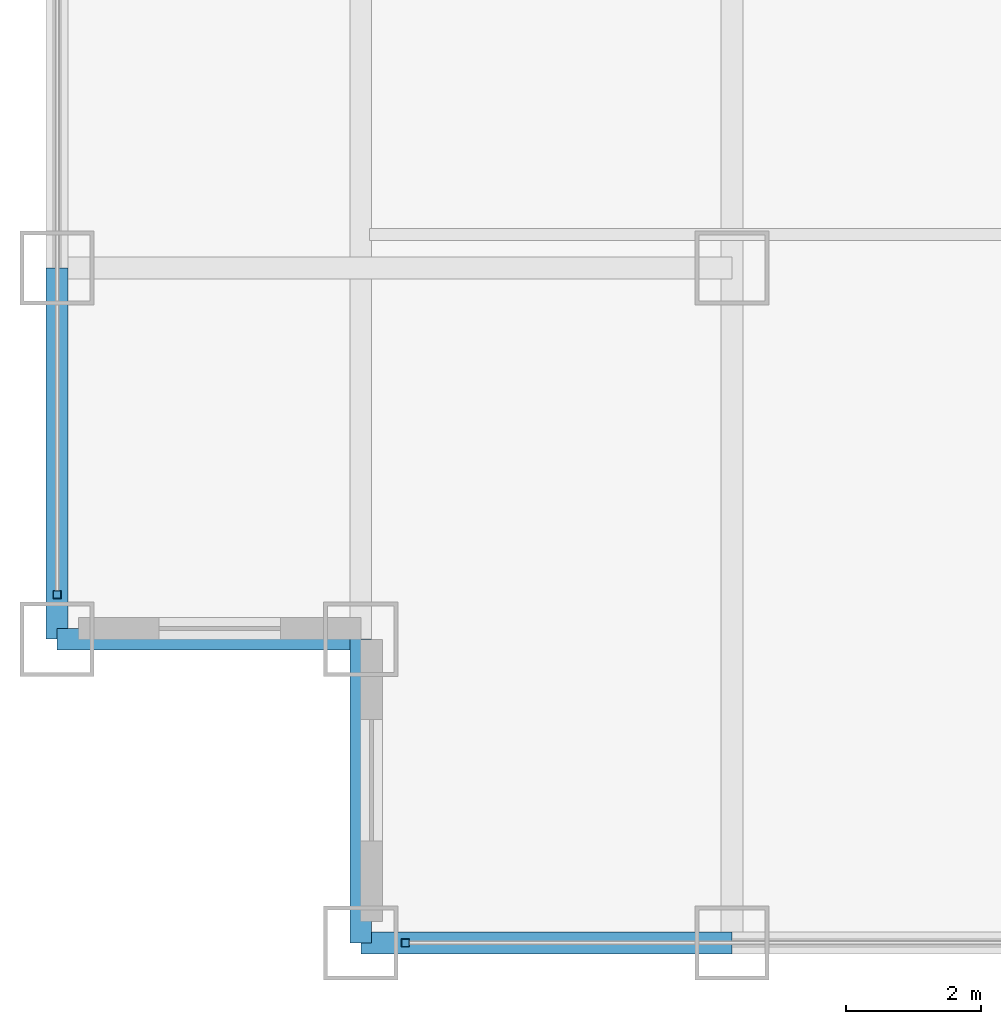
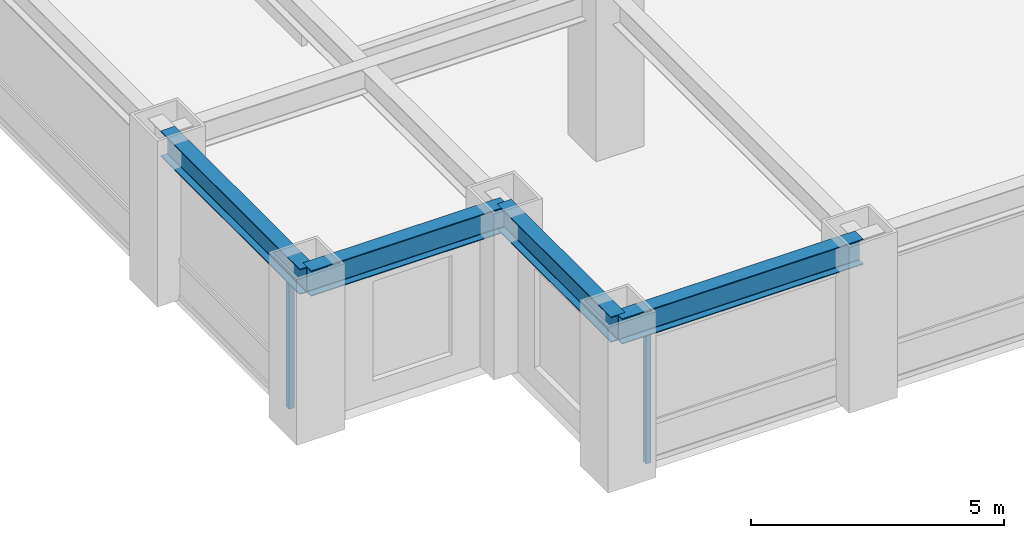
# One storey, part 2 of 25: 4 beams, 2 members, 2 elements without a shape of their own.
"""IFC4 building model written with IfcOpenShell, lengths in metres."""

import ifcopenshell
import ifcopenshell.guid

model = None  # the IFC model being written
_history = None  # IfcOwnerHistory: only IFC2X3 demands one
_inside = {}  # id of a spatial element -> (the spatial element, [elements in it])
_under = {}  # id of a project, library or spatial element -> (it, [spatial elements below it])
_declared = {}  # id of a project -> (the project, [libraries it declares])
_typed = {}  # id of a type object -> (the type object, [elements of that type])
_made_of = {}  # id of a material, layer set ... -> (it, [elements and type objects made of it])


def new_model(schema):
    """Start an empty IFC model of exactly this schema.

    Asked for "IFC4X3", IfcOpenShell would pick the latest addendum, in which some entities
    have other attributes; the version numbers below select the first issue.
    IFC2X3 requires an IfcOwnerHistory on every rooted entity: one is made here for all.
    """
    global model, _history
    if schema == "IFC4X3":
        model = ifcopenshell.file(schema_version=(4, 3, 0, 0))
    else:
        model = ifcopenshell.file(schema=schema)
    _inside.clear()
    _under.clear()
    _declared.clear()
    _typed.clear()
    _made_of.clear()
    _history = None
    if model.schema == "IFC2X3":
        org = make("IfcOrganization", Name="unknown")
        user = make(
            "IfcPersonAndOrganization",
            ThePerson=make("IfcPerson", FamilyName="unknown"),
            TheOrganization=org,
        )
        app = make(
            "IfcApplication",
            ApplicationDeveloper=org,
            Version="unknown",
            ApplicationFullName="unknown",
            ApplicationIdentifier="unknown",
        )
        _history = make(
            "IfcOwnerHistory",
            OwningUser=user,
            OwningApplication=app,
            ChangeAction="ADDED",
            CreationDate=0,
        )
    return model


def make(cls, **values):
    """One entity of the class cls with the attributes given. An attribute that is None is left unset."""
    return model.create_entity(
        cls, **{name: value for name, value in values.items() if value is not None}
    )


def rooted(cls, **values):
    """An entity with a GlobalId (a new one), such as an element, a storey or a relation."""
    return make(cls, GlobalId=ifcopenshell.guid.new(), OwnerHistory=_history, **values)


def si_unit(unit_type, name, prefix=None):
    """IfcSIUnit, for example si_unit("LENGTHUNIT", "METRE", prefix="MILLI")."""
    return make("IfcSIUnit", UnitType=unit_type, Prefix=prefix, Name=name)


def assignment(units):
    """IfcUnitAssignment: the units of a project."""
    return None if units is None else make("IfcUnitAssignment", Units=units)


def point(xyz):
    """IfcCartesianPoint."""
    return None if xyz is None else make("IfcCartesianPoint", Coordinates=xyz)


def direction(xyz):
    """IfcDirection."""
    return None if xyz is None else make("IfcDirection", DirectionRatios=xyz)


def frame(location, z_axis=None, x_axis=None):
    """IfcAxis2Placement3D, a coordinate frame: its origin and axes. An axis left out is left unset."""
    return make(
        "IfcAxis2Placement3D",
        Location=point(location),
        Axis=direction(z_axis),
        RefDirection=direction(x_axis),
    )


def frame_2d(location, x_axis=None):
    """IfcAxis2Placement2D, a coordinate frame in the plane: its origin and x axis."""
    return make(
        "IfcAxis2Placement2D", Location=point(location), RefDirection=direction(x_axis)
    )


def origin():
    """The frame at (0, 0, 0) with its axes left unset."""
    return frame((0.0, 0.0, 0.0))


def origin_2d():
    """The frame at (0, 0) in the plane with its x axis left unset."""
    return frame_2d((0.0, 0.0))


def place(relative_to, where):
    """IfcLocalPlacement: puts the frame where relative to a parent placement (None: the world)."""
    return make(
        "IfcLocalPlacement", PlacementRelTo=relative_to, RelativePlacement=where
    )


def context(
    kind, dimensions, precision=None, world=None, true_north=None, identifier=None
):
    """IfcGeometricRepresentationContext, for example the 3D "Model" context."""
    return make(
        "IfcGeometricRepresentationContext",
        ContextIdentifier=identifier,
        ContextType=kind,
        CoordinateSpaceDimension=dimensions,
        Precision=precision,
        WorldCoordinateSystem=world,
        TrueNorth=true_north,
    )


def subcontext(parent, identifier, kind, view, scale=None):
    """IfcGeometricRepresentationSubContext, for example "Body" below "Model"."""
    return make(
        "IfcGeometricRepresentationSubContext",
        ContextIdentifier=identifier,
        ContextType=kind,
        ParentContext=parent,
        TargetScale=scale,
        TargetView=view,
    )


def project(units=None, contexts=None):
    """IfcProject with its units and contexts."""
    return rooted(
        "IfcProject",
        Name="project",
        RepresentationContexts=contexts,
        UnitsInContext=assignment(units),
    )


def spatial(cls, under=None, at=None, **own):
    """A site, building, storey or space (cls), placed at a placement, below another one or the project."""
    s = rooted(cls, ObjectPlacement=at, **own)
    if under is not None:
        _under.setdefault(under.id(), (under, []))[1].append(s)
    return s


def profile(cls, at=None, kind="AREA", **sizes):
    """A parametric profile (cls). Its sizes go by their IFC names, for example OverallWidth=200.0."""
    return make(cls, ProfileType=kind, Position=at, **sizes)


def hollow_rectangle(**sizes):
    """IfcRectangleHollowProfileDef."""
    return profile("IfcRectangleHollowProfileDef", **sizes)


def i_section(**sizes):
    """IfcIShapeProfileDef."""
    return profile("IfcIShapeProfileDef", **sizes)


def extrude(swept, where, along, depth):
    """IfcExtrudedAreaSolid: the profile swept, set in the frame where, extruded along a direction by depth."""
    return make(
        "IfcExtrudedAreaSolid",
        SweptArea=swept,
        Position=where,
        ExtrudedDirection=direction(along),
        Depth=depth,
    )


def shape(context_of_items, identifier, shape_type, items):
    """IfcShapeRepresentation: the items that make up one representation, for example the "Body"."""
    return make(
        "IfcShapeRepresentation",
        ContextOfItems=context_of_items,
        RepresentationIdentifier=identifier,
        RepresentationType=shape_type,
        Items=items,
    )


def source(mapping_origin, context_of_items, identifier, shape_type, items):
    """IfcRepresentationMap: a shape defined once, which mapped items show again and again."""
    return make(
        "IfcRepresentationMap",
        MappingOrigin=mapping_origin,
        MappedRepresentation=shape(context_of_items, identifier, shape_type, items),
    )


def transform(
    local_origin,
    x_axis=None,
    y_axis=None,
    z_axis=None,
    scale=None,
    scale2=None,
    scale3=None,
    uniform=True,
):
    """IfcCartesianTransformationOperator3D, or its non-uniform kind. x_axis, y_axis, z_axis: its Axis1, 2, 3."""
    if uniform:
        return make(
            "IfcCartesianTransformationOperator3D",
            Axis1=direction(x_axis),
            Axis2=direction(y_axis),
            LocalOrigin=point(local_origin),
            Scale=scale,
            Axis3=direction(z_axis),
        )
    return make(
        "IfcCartesianTransformationOperator3DnonUniform",
        Axis1=direction(x_axis),
        Axis2=direction(y_axis),
        LocalOrigin=point(local_origin),
        Scale=scale,
        Axis3=direction(z_axis),
        Scale2=scale2,
        Scale3=scale3,
    )


def mapped(mapping_source, mapping_target):
    """IfcMappedItem: shows the shape of a source again, moved by a transform."""
    return make(
        "IfcMappedItem", MappingSource=mapping_source, MappingTarget=mapping_target
    )


def material(Name=None, Category=None):
    """IfcMaterial."""
    return make("IfcMaterial", Name=Name, Category=Category)


def material_profile(
    of_material, cross_section, Name=None, Category=None, Priority=None
):
    """IfcMaterialProfile: a cross section and its material."""
    return make(
        "IfcMaterialProfile",
        Name=Name,
        Material=of_material,
        Profile=cross_section,
        Priority=Priority,
        Category=Category,
    )


def profile_set(profiles, Name=None, composite=None):
    """IfcMaterialProfileSet."""
    return make(
        "IfcMaterialProfileSet",
        Name=Name,
        MaterialProfiles=profiles,
        CompositeProfile=composite,
    )


def made_of(thing, what):
    """Note that an element or type object is made of a material, layer set ...; save() writes the relation."""
    if what is not None:
        _made_of.setdefault(what.id(), (what, []))[1].append(thing)
    return thing


def type_object(cls, material=None, **own):
    """A type object (cls), such as IfcWallType, which elements share."""
    return made_of(rooted(cls, **own), material)


def element(
    cls,
    number,
    at=None,
    inside=None,
    cuts=None,
    type_object=None,
    material=None,
    context=None,
    identifier="Body",
    shape_type=None,
    held_by="IfcProductDefinitionShape",
    body=None,
    shapes=None,
    **own,
):
    """One element of the class cls, such as IfcWall. Its Tag is "e" and its number.

    at: its placement. inside: the storey or other place that contains it. cuts: it is an
    opening in that element (IfcRelVoidsElement). A single representation is given by context,
    identifier, shape_type and body (its items); several are given by shapes. held_by: the class
    of the entity that holds the representations. save() writes the other relations.
    """
    e = rooted(cls, Tag="e%d" % number, ObjectPlacement=at, **own)
    if body is not None:
        shapes = [shape(context, identifier, shape_type, body)]
    if shapes is not None:
        e.Representation = make(held_by, Representations=shapes)
    if inside is not None:
        _inside.setdefault(inside.id(), (inside, []))[1].append(e)
    if cuts is not None:
        rooted(
            "IfcRelVoidsElement", RelatingBuildingElement=cuts, RelatedOpeningElement=e
        )
    if type_object is not None:
        _typed.setdefault(type_object.id(), (type_object, []))[1].append(e)
    return made_of(e, material)


def aggregate(whole, parts):
    """IfcRelAggregates: a whole, such as a stair, and the parts it consists of."""
    return rooted("IfcRelAggregates", RelatingObject=whole, RelatedObjects=parts)


def save(model, path):
    """Write the relations noted so far, then the file.

    IfcRelAggregates (storeys below a building ...), IfcRelContainedInSpatialStructure (elements
    in a storey), IfcRelDefinesByType, IfcRelAssociatesMaterial and IfcRelDeclares: one each for
    every whole, place, type object, material and project.
    """
    for whole, parts in _under.values():
        aggregate(whole, parts)
    for where, things in _inside.values():
        rooted(
            "IfcRelContainedInSpatialStructure",
            RelatedElements=things,
            RelatingStructure=where,
        )
    for kind, things in _typed.values():
        rooted("IfcRelDefinesByType", RelatedObjects=things, RelatingType=kind)
    for what, things in _made_of.values():
        rooted("IfcRelAssociatesMaterial", RelatedObjects=things, RelatingMaterial=what)
    for by, libraries in _declared.values():
        rooted("IfcRelDeclares", RelatingContext=by, RelatedDefinitions=libraries)
    model.write(path)


model = new_model("IFC4")

# Units and contexts
model_context = context("Model", 3, precision=1e-05, world=origin(), true_north=direction((0.0, 1.0)))
body_context = subcontext(model_context, "Body", "Model", "MODEL_VIEW")
ifc_project = project(units=[si_unit("LENGTHUNIT", "METRE"), si_unit("AREAUNIT", "SQUARE_METRE"), si_unit("VOLUMEUNIT", "CUBIC_METRE"), si_unit("PLANEANGLEUNIT", "RADIAN"), si_unit("MASSUNIT", "GRAM", prefix="KILO")], contexts=[model_context])

# Site, building, storey
site_placement = place(None, origin())
site = spatial("IfcSite", under=ifc_project, at=site_placement, CompositionType="ELEMENT")
building_placement = place(site_placement, origin())
building = spatial("IfcBuilding", under=site, at=building_placement, Name="Khorayat Bourse Tower", CompositionType="ELEMENT")
storey_placement = place(building_placement, frame((0.0, 0.0, 199.10009765625)))
storey = spatial("IfcBuildingStorey", under=building, at=storey_placement, Name="L46", CompositionType="ELEMENT", Elevation=199.10009765625)

# Beams
ifc_material_1 = material(Name="Steel ASTM A992 Grade 50", Category="steel")
ifc_material_profile_1 = material_profile(ifc_material_1, i_section(OverallWidth=0.324951171875, OverallDepth=0.615966796875, WebThickness=0.013916015625, FlangeThickness=0.021484375, FilletRadius=0.01611328125, at=origin_2d()), Name="W610X174")
ifc_profile_set_1 = profile_set([ifc_material_profile_1], Name="Steel ASTM A992 Grade 50")
beam_type = type_object("IfcBeamType", Name="BM-SPAN-610", PredefinedType="SPANDREL", material=ifc_profile_set_1)
shared_shape_1 = source(origin(), body_context, "Body", "SweptSolid", [
    extrude(i_section(OverallWidth=0.324951171875, OverallDepth=0.615966796875, WebThickness=0.013916015625, FlangeThickness=0.021484375, FilletRadius=0.01611328125, at=origin_2d()), origin(), (0.0, 0.0, 1.0), 5.5),
])
for number, where, z_axis, x_axis, name in (
    (1, (-25.5, -30.0, 3.471923828125), (1.0, 0.0, 0.0), (0.0, 1.0, 0.0), "L46 BM-SPAN-610 BM-L46-SPN-024"),
    (2, (-30.0, -25.5, 3.471923828125), (0.0, 1.0, 0.0), (-1.0, 0.0, 0.0), "L46 BM-SPAN-610 BM-L46-SPN-061"),
):
    element("IfcBeam", number, at=place(storey_placement, frame(where, z_axis=z_axis, x_axis=x_axis)), inside=storey, type_object=beam_type, Name=name, PredefinedType="SPANDREL", context=body_context, shape_type="MappedRepresentation", body=[
        mapped(shared_shape_1, transform((0.0, 0.0, 0.0), scale=1.0)),
    ])
shared_shape_2 = source(origin(), body_context, "Body", "SweptSolid", [
    extrude(i_section(OverallWidth=0.324951171875, OverallDepth=0.615966796875, WebThickness=0.013916015625, FlangeThickness=0.021484375, FilletRadius=0.01611328125, at=origin_2d()), origin(), (0.0, 0.0, 1.0), 4.5),
])
for number, where, z_axis, x_axis, name in (
    (3, (-30.0, -25.5, 3.471923828125), (1.0, 0.0, 0.0), (0.0, 1.0, 0.0), "L46 BM-SPAN-610 BM-L46-SPN-062"),
    (4, (-25.5, -30.0, 3.471923828125), (0.0, 1.0, 0.0), (-1.0, 0.0, 0.0), "L46 BM-SPAN-610 BM-L46-SPN-063"),
):
    element("IfcBeam", number, at=place(storey_placement, frame(where, z_axis=z_axis, x_axis=x_axis)), inside=storey, type_object=beam_type, Name=name, PredefinedType="SPANDREL", context=body_context, shape_type="MappedRepresentation", body=[
        mapped(shared_shape_2, transform((0.0, 0.0, 0.0), scale=1.0)),
    ])

# Curtain wall, member
ifc_material_2 = material(Name="Aluminium EN AW-6063 T6", Category="aluminium")
curtain_wall_type = type_object("IfcCurtainWallType", Name="CW-SYS-03", PredefinedType="NOTDEFINED", material=ifc_material_2)
curtain_wall_1_placement = place(storey_placement, origin())
curtain_wall_1 = element("IfcCurtainWall", 5, at=curtain_wall_1_placement, inside=storey, type_object=curtain_wall_type, Name="L46 Curtain Wall CW-L46-S1", PredefinedType="NOTDEFINED")
ifc_material_profile_2 = material_profile(ifc_material_2, hollow_rectangle(XDim=0.1201171875, YDim=0.1201171875, WallThickness=0.0048828125, at=origin_2d()), Name="ALU 120x120x5")
ifc_profile_set_2 = profile_set([ifc_material_profile_2], Name="Aluminium EN AW-6063 T6")
member_type = type_object("IfcMemberType", Name="CWM-VERT-120", PredefinedType="MULLION", material=ifc_profile_set_2)
shared_shape_3 = source(origin(), body_context, "Body", "SweptSolid", [
    extrude(hollow_rectangle(XDim=0.1201171875, YDim=0.1201171875, WallThickness=0.0048828125, at=origin_2d()), origin(), (0.0, 0.0, 1.0), 3.1298828125),
])
member_1_placement = place(storey_placement, frame((-24.840087890625, -30.0, 0.0), z_axis=(0.0, 0.0, 1.0), x_axis=(0.0, 1.0, 0.0)))
member_1 = element("IfcMember", 6, at=member_1_placement, type_object=member_type, Name="CW-L46-S1 Vertical Mullion 1", PredefinedType="MULLION", context=body_context, shape_type="MappedRepresentation", body=[
    mapped(shared_shape_3, transform((0.0, 0.0, 0.0), scale=1.0)),
])
aggregate(curtain_wall_1, [member_1])

curtain_wall_2_placement = place(storey_placement, origin())
curtain_wall_2 = element("IfcCurtainWall", 7, at=curtain_wall_2_placement, inside=storey, type_object=curtain_wall_type, Name="L46 Curtain Wall CW-L46-W1", PredefinedType="NOTDEFINED")
member_2_placement = place(storey_placement, frame((-30.0, -24.840087890625, 0.0), z_axis=(0.0, 0.0, 1.0), x_axis=(-1.0, 0.0, 0.0)))
member_2 = element("IfcMember", 8, at=member_2_placement, type_object=member_type, Name="CW-L46-W1 Vertical Mullion 1", PredefinedType="MULLION", context=body_context, shape_type="MappedRepresentation", body=[
    mapped(shared_shape_3, transform((0.0, 0.0, 0.0), scale=1.0)),
])
aggregate(curtain_wall_2, [member_2])

save(model, "model.ifc")
